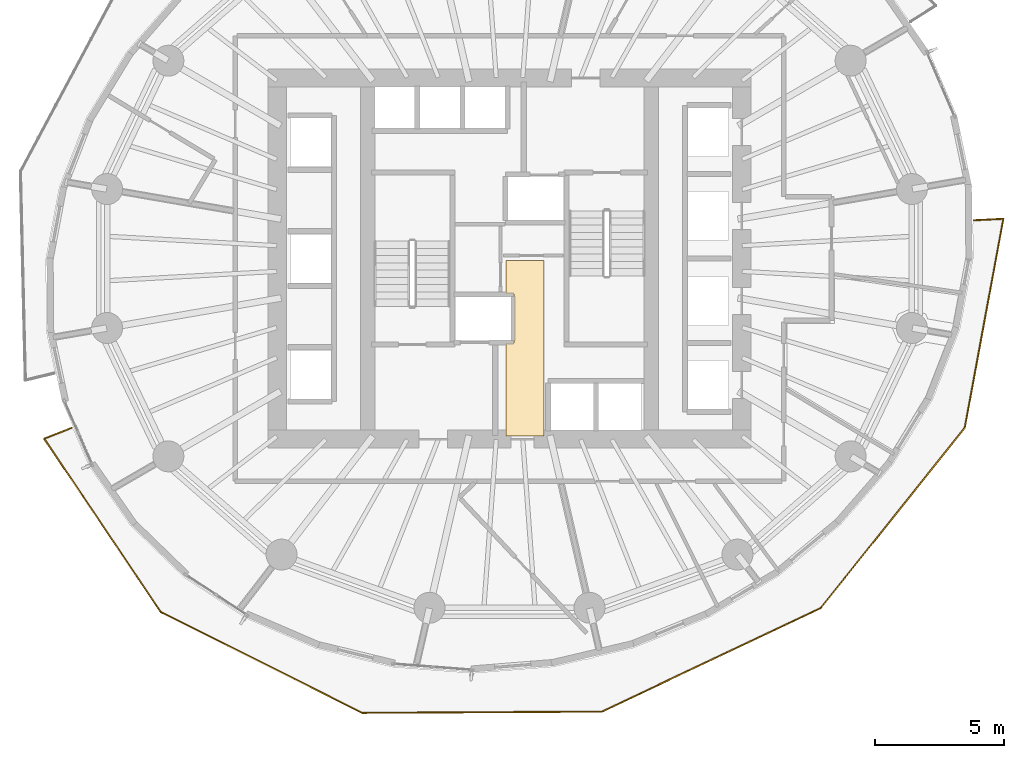
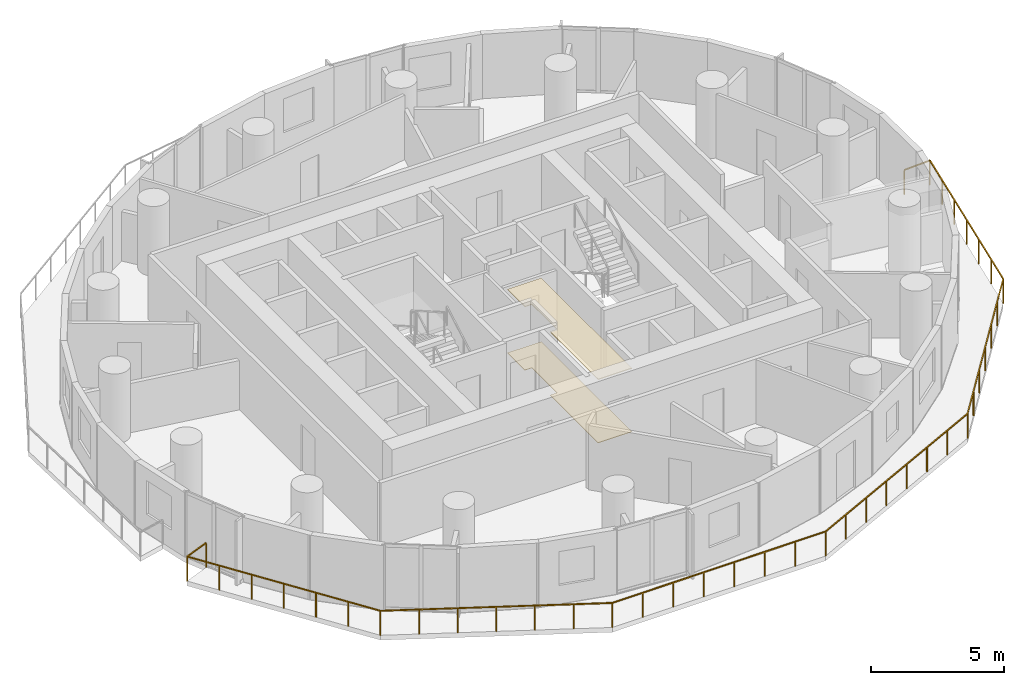
# One storey, part 12 of 14: 2 coverings, 1 railing.
"""IFC4 building model written with IfcOpenShell, lengths in metres."""

from ifc_helpers import new_model, si_unit, direction, frame, origin, origin_2d, place, context, subcontext, project, spatial, polyline, rectangle, outline, extrude, material, layer, layer_set, type_object, element, save


model = new_model("IFC4")

# Units and contexts
model_context = context("Model", 3, precision=1e-05, world=origin(), true_north=direction((0.0, 1.0)))
body_context = subcontext(model_context, "Body", "Model", "MODEL_VIEW")
ifc_project = project(units=[si_unit("LENGTHUNIT", "METRE"), si_unit("AREAUNIT", "SQUARE_METRE"), si_unit("VOLUMEUNIT", "CUBIC_METRE"), si_unit("PLANEANGLEUNIT", "RADIAN"), si_unit("MASSUNIT", "GRAM", prefix="KILO")], contexts=[model_context])

# Site, building, storey
site_placement = place(None, origin())
site = spatial("IfcSite", under=ifc_project, at=site_placement, CompositionType="ELEMENT")
building_placement = place(site_placement, origin())
building = spatial("IfcBuilding", under=site, at=building_placement, Name="Veldorim Arch Residences", CompositionType="ELEMENT")
storey_placement = place(building_placement, frame((0.0, 0.0, 80.47998046875)))
storey = spatial("IfcBuildingStorey", under=building, at=storey_placement, Name="L23", CompositionType="ELEMENT", Elevation=80.47998046875)

# Railing
ifc_material_1 = material(Name="Aluminium", Category="aluminium")
railing_type = type_object("IfcRailingType", Name="Balcony & Terrace Laminated Glass Balustrade 1150", PredefinedType="BALUSTRADE", material=ifc_material_1)
railing_placement = place(storey_placement, frame((15.0341796875, 17.442138671875, 0.0)))
element("IfcRailing", 1, at=railing_placement, inside=storey, type_object=railing_type, Name="L23 crescent balcony safety balustrade B", PredefinedType="BALUSTRADE", context=body_context, shape_type="SweptSolid", body=[
    extrude(rectangle(XDim=0.048095703125, YDim=0.048095703125, at=origin_2d()), frame((0.0, 0.0, 1.1259765625), z_axis=(-0.92933811404, -0.369229833291, 0.0), x_axis=(0.369229833291, -0.92933811404, 0.0)), (0.0, 0.0, 1.0), 1.14990234375),
    extrude(rectangle(XDim=0.048095703125, YDim=0.048095703125, at=origin_2d()), frame((-1.068603515625, -0.424560546875, 1.1259765625), z_axis=(0.558100400409, -0.829773428753, 0.0), x_axis=(0.829773428753, 0.558100400409, 0.0)), (0.0, 0.0, 1.0), 8.091552734375),
    extrude(rectangle(XDim=0.048095703125, YDim=0.048095703125, at=origin_2d()), frame((3.447265625, -7.138671875, 1.1259765625), z_axis=(0.894024266109, -0.448018539358, 0.0), x_axis=(0.448018539358, 0.894024266109, 0.0)), (0.0, 0.0, 1.0), 8.733154296875),
    extrude(rectangle(XDim=0.048095703125, YDim=0.048095703125, at=origin_2d()), frame((11.2548828125, -11.05126953125, 1.1259765625), z_axis=(0.999986608104, 0.005175288633, 0.0), x_axis=(-0.005175288633, 0.999986608104, 0.0)), (0.0, 0.0, 1.0), 9.29345703125),
    extrude(rectangle(XDim=0.048095703125, YDim=0.048095703125, at=origin_2d()), frame((20.548095703125, -11.003173828125, 1.1259765625), z_axis=(0.903720887501, 0.428122129181, 0.0), x_axis=(-0.428122129181, 0.903720887501, 0.0)), (0.0, 0.0, 1.0), 9.384765625),
    extrude(rectangle(XDim=0.048095703125, YDim=0.048095703125, at=origin_2d()), frame((29.029296875, -6.9853515625, 1.1259765625), z_axis=(0.624355222481, 0.781140548276, 0.0), x_axis=(-0.781140548276, 0.624355222481, 0.0)), (0.0, 0.0, 1.0), 8.938232421875),
    extrude(rectangle(XDim=0.048095703125, YDim=0.048095703125, at=origin_2d()), frame((34.60986328125, -0.00341796875, 1.1259765625), z_axis=(0.181614929451, 0.983369725689, 0.0), x_axis=(-0.983369725689, 0.181614929451, 0.0)), (0.0, 0.0, 1.0), 8.239013671875),
    extrude(rectangle(XDim=0.048095703125, YDim=0.048095703125, at=origin_2d()), frame((36.106201171875, 8.0986328125, 1.1259765625), z_axis=(-0.998775527664, -0.049471661978, 0.0), x_axis=(0.049471661978, -0.998775527664, 0.0)), (0.0, 0.0, 1.0), 1.14990234375),
    extrude(rectangle(XDim=0.0419921875, YDim=0.0419921875, at=origin_2d()), origin(), (0.0, 0.0, 1.0), 1.101806640625),
    extrude(rectangle(XDim=0.0419921875, YDim=0.0419921875, at=origin_2d()), frame((-1.068603515625, -0.424560546875, 0.0)), (0.0, 0.0, 1.0), 1.101806640625),
    extrude(rectangle(XDim=0.0419921875, YDim=0.0419921875, at=origin_2d()), frame((-0.31591796875, -1.54345703125, 0.0)), (0.0, 0.0, 1.0), 1.101806640625),
    extrude(rectangle(XDim=0.0419921875, YDim=0.0419921875, at=origin_2d()), frame((0.436767578125, -2.66259765625, 0.0)), (0.0, 0.0, 1.0), 1.101806640625),
    extrude(rectangle(XDim=0.0419921875, YDim=0.0419921875, at=origin_2d()), frame((1.189453125, -3.78173828125, 0.0)), (0.0, 0.0, 1.0), 1.101806640625),
    extrude(rectangle(XDim=0.0419921875, YDim=0.0419921875, at=origin_2d()), frame((1.94189453125, -4.900634765625, 0.0)), (0.0, 0.0, 1.0), 1.101806640625),
    extrude(rectangle(XDim=0.0419921875, YDim=0.0419921875, at=origin_2d()), frame((2.694580078125, -6.01953125, 0.0)), (0.0, 0.0, 1.0), 1.101806640625),
    extrude(rectangle(XDim=0.0419921875, YDim=0.0419921875, at=origin_2d()), frame((3.447265625, -7.138671875, 0.0)), (0.0, 0.0, 1.0), 1.101806640625),
    extrude(rectangle(XDim=0.0419921875, YDim=0.0419921875, at=origin_2d()), frame((4.74853515625, -7.790771484375, 0.0)), (0.0, 0.0, 1.0), 1.101806640625),
    extrude(rectangle(XDim=0.0419921875, YDim=0.0419921875, at=origin_2d()), frame((6.0498046875, -8.44287109375, 0.0)), (0.0, 0.0, 1.0), 1.101806640625),
    extrude(rectangle(XDim=0.0419921875, YDim=0.0419921875, at=origin_2d()), frame((7.35107421875, -9.094970703125, 0.0)), (0.0, 0.0, 1.0), 1.101806640625),
    extrude(rectangle(XDim=0.0419921875, YDim=0.0419921875, at=origin_2d()), frame((8.65234375, -9.7470703125, 0.0)), (0.0, 0.0, 1.0), 1.101806640625),
    extrude(rectangle(XDim=0.0419921875, YDim=0.0419921875, at=origin_2d()), frame((9.95361328125, -10.399169921875, 0.0)), (0.0, 0.0, 1.0), 1.101806640625),
    extrude(rectangle(XDim=0.0419921875, YDim=0.0419921875, at=origin_2d()), frame((11.2548828125, -11.05126953125, 0.0)), (0.0, 0.0, 1.0), 1.101806640625),
    extrude(rectangle(XDim=0.0419921875, YDim=0.0419921875, at=origin_2d()), frame((12.58251953125, -11.04443359375, 0.0)), (0.0, 0.0, 1.0), 1.101806640625),
    extrude(rectangle(XDim=0.0419921875, YDim=0.0419921875, at=origin_2d()), frame((13.91015625, -11.03759765625, 0.0)), (0.0, 0.0, 1.0), 1.101806640625),
    extrude(rectangle(XDim=0.0419921875, YDim=0.0419921875, at=origin_2d()), frame((15.23779296875, -11.03076171875, 0.0)), (0.0, 0.0, 1.0), 1.101806640625),
    extrude(rectangle(XDim=0.0419921875, YDim=0.0419921875, at=origin_2d()), frame((16.565185546875, -11.023681640625, 0.0)), (0.0, 0.0, 1.0), 1.101806640625),
    extrude(rectangle(XDim=0.0419921875, YDim=0.0419921875, at=origin_2d()), frame((17.892822265625, -11.016845703125, 0.0)), (0.0, 0.0, 1.0), 1.101806640625),
    extrude(rectangle(XDim=0.0419921875, YDim=0.0419921875, at=origin_2d()), frame((19.220458984375, -11.010009765625, 0.0)), (0.0, 0.0, 1.0), 1.101806640625),
    extrude(rectangle(XDim=0.0419921875, YDim=0.0419921875, at=origin_2d()), frame((20.548095703125, -11.003173828125, 0.0)), (0.0, 0.0, 1.0), 1.101806640625),
    extrude(rectangle(XDim=0.0419921875, YDim=0.0419921875, at=origin_2d()), frame((21.759765625, -10.42919921875, 0.0)), (0.0, 0.0, 1.0), 1.101806640625),
    extrude(rectangle(XDim=0.0419921875, YDim=0.0419921875, at=origin_2d()), frame((22.97119140625, -9.855224609375, 0.0)), (0.0, 0.0, 1.0), 1.101806640625),
    extrude(rectangle(XDim=0.0419921875, YDim=0.0419921875, at=origin_2d()), frame((24.182861328125, -9.28125, 0.0)), (0.0, 0.0, 1.0), 1.101806640625),
    extrude(rectangle(XDim=0.0419921875, YDim=0.0419921875, at=origin_2d()), frame((25.39453125, -8.707275390625, 0.0)), (0.0, 0.0, 1.0), 1.101806640625),
    extrude(rectangle(XDim=0.0419921875, YDim=0.0419921875, at=origin_2d()), frame((26.606201171875, -8.13330078125, 0.0)), (0.0, 0.0, 1.0), 1.101806640625),
    extrude(rectangle(XDim=0.0419921875, YDim=0.0419921875, at=origin_2d()), frame((27.817626953125, -7.559326171875, 0.0)), (0.0, 0.0, 1.0), 1.101806640625),
    extrude(rectangle(XDim=0.0419921875, YDim=0.0419921875, at=origin_2d()), frame((29.029296875, -6.9853515625, 0.0)), (0.0, 0.0, 1.0), 1.101806640625),
    extrude(rectangle(XDim=0.0419921875, YDim=0.0419921875, at=origin_2d()), frame((29.95947265625, -5.82177734375, 0.0)), (0.0, 0.0, 1.0), 1.101806640625),
    extrude(rectangle(XDim=0.0419921875, YDim=0.0419921875, at=origin_2d()), frame((30.889404296875, -4.657958984375, 0.0)), (0.0, 0.0, 1.0), 1.101806640625),
    extrude(rectangle(XDim=0.0419921875, YDim=0.0419921875, at=origin_2d()), frame((31.819580078125, -3.494384765625, 0.0)), (0.0, 0.0, 1.0), 1.101806640625),
    extrude(rectangle(XDim=0.0419921875, YDim=0.0419921875, at=origin_2d()), frame((32.749755859375, -2.330810546875, 0.0)), (0.0, 0.0, 1.0), 1.101806640625),
    extrude(rectangle(XDim=0.0419921875, YDim=0.0419921875, at=origin_2d()), frame((33.6796875, -1.1669921875, 0.0)), (0.0, 0.0, 1.0), 1.101806640625),
    extrude(rectangle(XDim=0.0419921875, YDim=0.0419921875, at=origin_2d()), frame((34.60986328125, -0.00341796875, 0.0)), (0.0, 0.0, 1.0), 1.101806640625),
    extrude(rectangle(XDim=0.0419921875, YDim=0.0419921875, at=origin_2d()), frame((34.859375, 1.346923828125, 0.0)), (0.0, 0.0, 1.0), 1.101806640625),
    extrude(rectangle(XDim=0.0419921875, YDim=0.0419921875, at=origin_2d()), frame((35.108642578125, 2.697265625, 0.0)), (0.0, 0.0, 1.0), 1.101806640625),
    extrude(rectangle(XDim=0.0419921875, YDim=0.0419921875, at=origin_2d()), frame((35.35791015625, 4.047607421875, 0.0)), (0.0, 0.0, 1.0), 1.101806640625),
    extrude(rectangle(XDim=0.0419921875, YDim=0.0419921875, at=origin_2d()), frame((35.607421875, 5.39794921875, 0.0)), (0.0, 0.0, 1.0), 1.101806640625),
    extrude(rectangle(XDim=0.0419921875, YDim=0.0419921875, at=origin_2d()), frame((35.85693359375, 6.748291015625, 0.0)), (0.0, 0.0, 1.0), 1.101806640625),
    extrude(rectangle(XDim=0.0419921875, YDim=0.0419921875, at=origin_2d()), frame((36.106201171875, 8.0986328125, 0.0)), (0.0, 0.0, 1.0), 1.101806640625),
    extrude(rectangle(XDim=0.0419921875, YDim=0.0419921875, at=origin_2d()), frame((34.957763671875, 8.041748046875, 0.0)), (0.0, 0.0, 1.0), 1.101806640625),
])

# Coverings
ifc_material_2 = material(Name="Acoustic Gypsum & Mineral Fibre", Category="gypsum")
ifc_layer_1 = layer(ifc_material_2, 0.034912109375, Name="Perforated Acoustic Mineral-Fibre Ceiling 35")
ifc_layer_set_1 = layer_set([ifc_layer_1], Name="Acoustic Gypsum & Mineral Fibre")
covering_type_1 = type_object("IfcCoveringType", Name="Perforated Acoustic Mineral-Fibre Ceiling 35", PredefinedType="CEILING", material=ifc_layer_set_1)
covering_1_placement = place(storey_placement, frame((0.0, 0.0, 2.905029296875)))
element("IfcCovering", 2, at=covering_1_placement, inside=storey, type_object=covering_type_1, Name="L23 acoustic suspended ceiling 01", PredefinedType="CEILING", context=body_context, shape_type="SweptSolid", body=[
    extrude(outline(polyline([(33.330078125, 23.929931640625), (33.330078125, 17.1201171875), (31.8701171875, 17.1201171875), (31.8701171875, 20.735107421875), (32.169921875, 20.735107421875), (32.169921875, 22.625), (31.8701171875, 22.625), (31.8701171875, 23.929931640625), (33.330078125, 23.929931640625)])), origin(), (0.0, 0.0, 1.0), 0.034912109375),
])
ifc_material_3 = material(Name="Porcelain Ceramic Tile", Category="ceramic")
ifc_layer_2 = layer(ifc_material_3, 0.02001953125, Name="Slip-Resistant Porcelain & Vinyl Floor Finish 20")
ifc_layer_set_2 = layer_set([ifc_layer_2], Name="Porcelain Ceramic Tile")
covering_type_2 = type_object("IfcCoveringType", Name="Slip-Resistant Porcelain & Vinyl Floor Finish 20", PredefinedType="FLOORING", material=ifc_layer_set_2)
covering_2_placement = place(storey_placement, origin())
element("IfcCovering", 3, at=covering_2_placement, inside=storey, type_object=covering_type_2, Name="L23 porcelain floor finish 01", PredefinedType="FLOORING", context=body_context, shape_type="SweptSolid", body=[
    extrude(outline(polyline([(33.330078125, 23.929931640625), (33.330078125, 17.1201171875), (31.8701171875, 17.1201171875), (31.8701171875, 20.735107421875), (32.169921875, 20.735107421875), (32.169921875, 22.625), (31.8701171875, 22.625), (31.8701171875, 23.929931640625), (33.330078125, 23.929931640625)])), origin(), (0.0, 0.0, 1.0), 0.02001953125),
])

save(model, "model.ifc")
